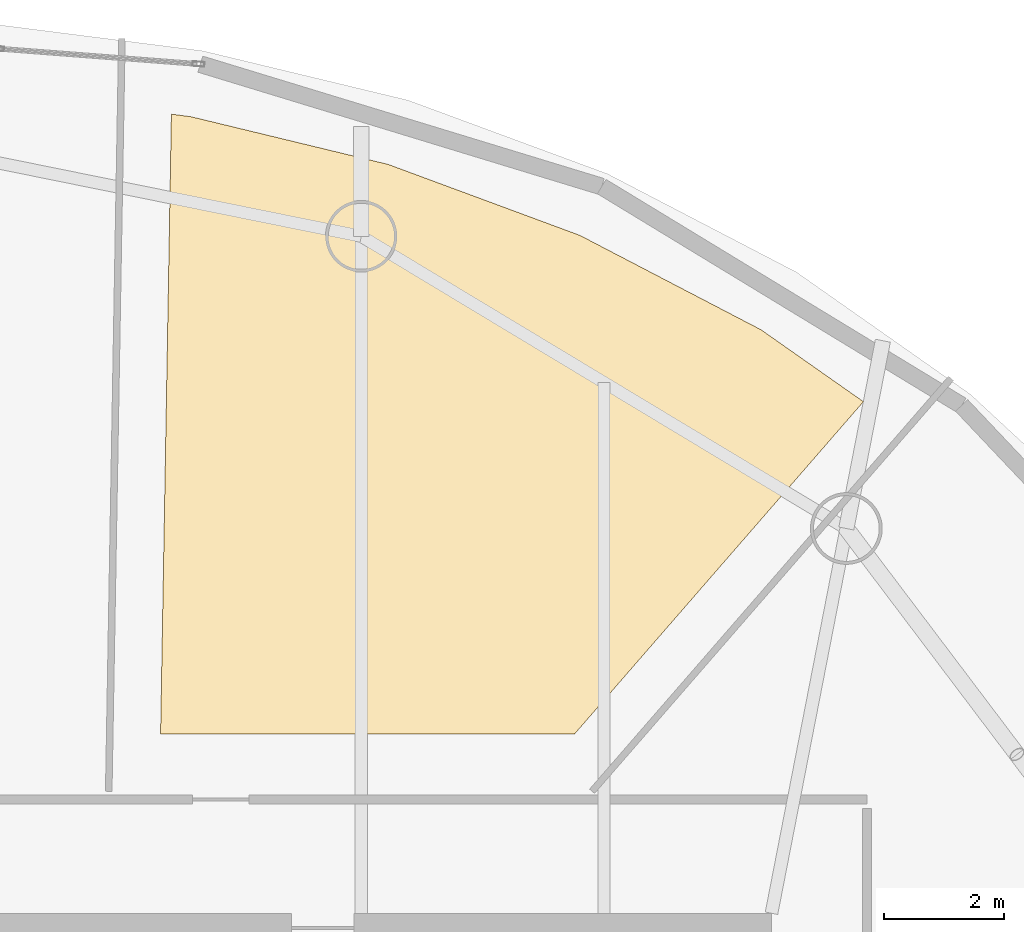
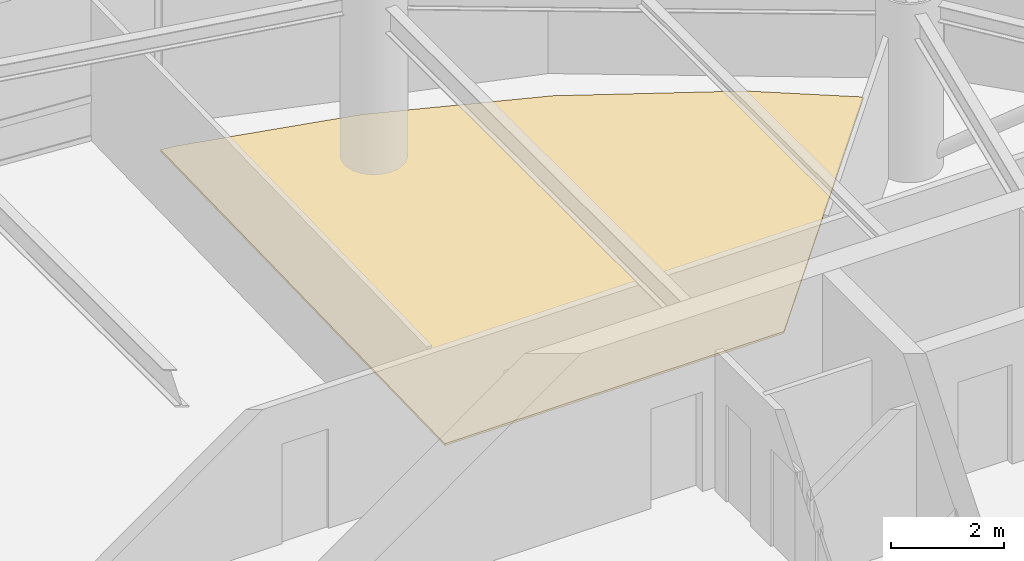
# One storey, part 21 of 21: 1 covering.
"""IFC4 building model written with IfcOpenShell, lengths in metres."""

from ifc_helpers import new_model, si_unit, direction, frame, origin, place, context, subcontext, project, spatial, polyline, outline, extrude, material, layer, layer_set, type_object, element, save


model = new_model("IFC4")

# Units and contexts
model_context = context("Model", 3, precision=1e-05, world=origin(), true_north=direction((0.0, 1.0)))
body_context = subcontext(model_context, "Body", "Model", "MODEL_VIEW")
ifc_project = project(units=[si_unit("LENGTHUNIT", "METRE"), si_unit("AREAUNIT", "SQUARE_METRE"), si_unit("VOLUMEUNIT", "CUBIC_METRE"), si_unit("PLANEANGLEUNIT", "RADIAN"), si_unit("MASSUNIT", "GRAM", prefix="KILO")], contexts=[model_context])

# Site, building, storey
site_placement = place(None, origin())
site = spatial("IfcSite", under=ifc_project, at=site_placement, CompositionType="ELEMENT")
building_placement = place(site_placement, origin())
building = spatial("IfcBuilding", under=site, at=building_placement, Name="Bramvorn Convention Spire", CompositionType="ELEMENT")
storey_placement = place(building_placement, frame((0.0, 0.0, 186.60009765625)))
storey = spatial("IfcBuildingStorey", under=building, at=storey_placement, Name="L47", CompositionType="ELEMENT", Elevation=186.60009765625)

# Covering
ifc_material = material(Name="Calcium-Sulphate Raised Access Office Floor", Category="steel")
ifc_layer = layer(ifc_material, 0.044921875)
ifc_layer_set = layer_set([ifc_layer], Name="Calcium-Sulphate Raised Access Office Floor - FLR-RAISED-45")
covering_type = type_object("IfcCoveringType", Name="FLR-RAISED-45", PredefinedType="FLOORING", material=ifc_layer_set)
covering_placement = place(storey_placement, origin())
element("IfcCovering", 1, at=covering_placement, inside=storey, type_object=covering_type, Name="L47 Conference Meeting Room 2 2 raised floor finish", PredefinedType="FLOORING", context=body_context, shape_type="SweptSolid", body=[
    extrude(outline(polyline([(39.536376953125, 46.773193359375), (39.21337890625, 46.814697265625), (39.032470703125, 36.449951171875), (45.957763671875, 36.449951171875), (50.78759765625, 42.006103515625), (49.076904296875, 43.2080078125), (46.04736328125, 44.78662109375), (42.842041015625, 45.9736328125), (39.536376953125, 46.773193359375)])), origin(), (0.0, 0.0, 1.0), 0.044921875),
])

save(model, "model.ifc")
